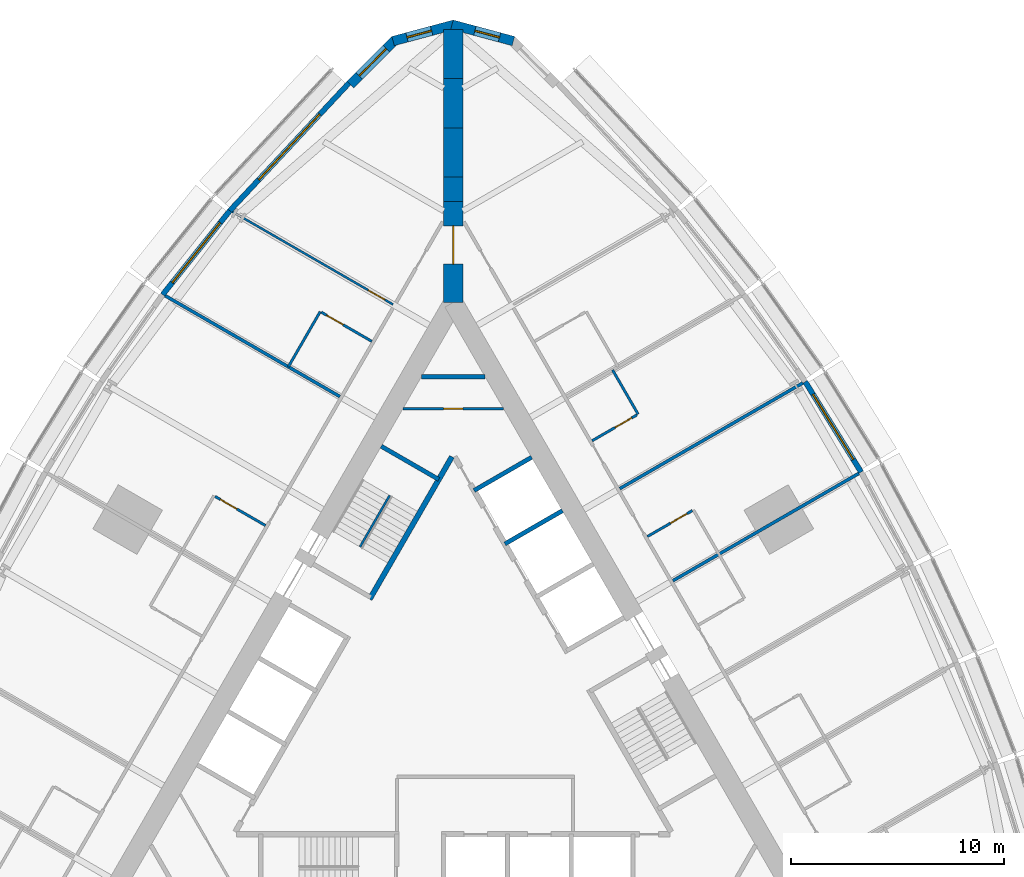
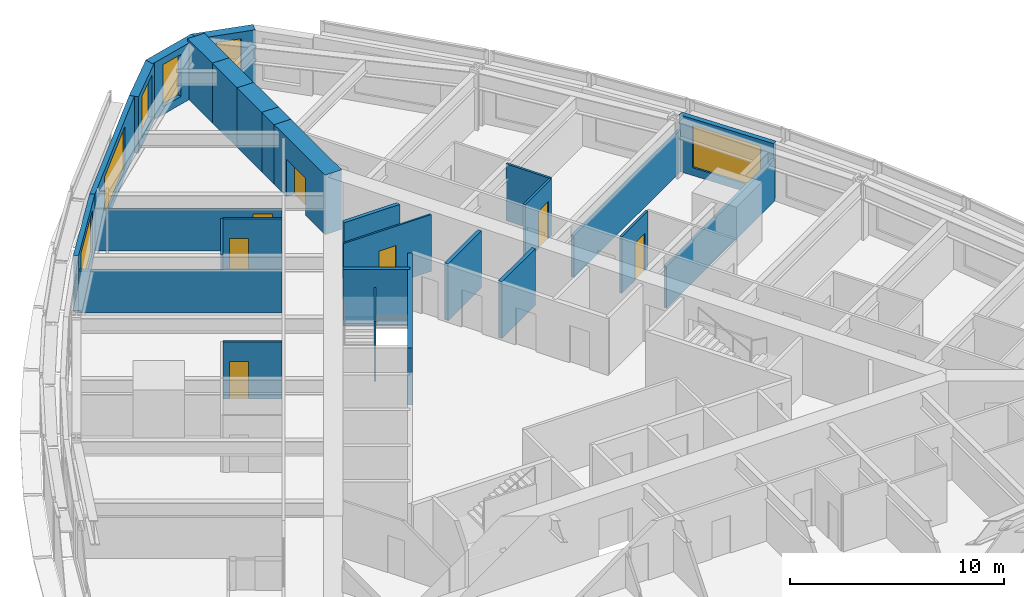
# One storey, part 12 of 14: 28 walls, 7 doors, 6 windows, 13 openings.
"""IFC4 building model written with IfcOpenShell, lengths in metres."""

from ifc_helpers import new_model, si_unit, direction, frame, frame_2d, origin, place, context, subcontext, project, spatial, polyline, rectangle, outline, extrude, material, layer, layer_set, type_object, element, fill, save


model = new_model("IFC4")

# Units and contexts
model_context = context("Model", 3, precision=1e-05, world=origin(), true_north=direction((0.0, 1.0)))
body_context = subcontext(model_context, "Body", "Model", "MODEL_VIEW")
ifc_project = project(units=[si_unit("LENGTHUNIT", "METRE"), si_unit("AREAUNIT", "SQUARE_METRE"), si_unit("VOLUMEUNIT", "CUBIC_METRE"), si_unit("PLANEANGLEUNIT", "RADIAN"), si_unit("MASSUNIT", "GRAM", prefix="KILO")], contexts=[model_context])

# Site, building, storey
site_placement = place(None, origin())
site = spatial("IfcSite", under=ifc_project, at=site_placement, CompositionType="ELEMENT")
building_placement = place(site_placement, origin())
building = spatial("IfcBuilding", under=site, at=building_placement, Name="Trikona Tower", CompositionType="ELEMENT")
storey_placement = place(building_placement, frame((0.0, 0.0, 31.89990234375)))
storey = spatial("IfcBuildingStorey", under=building, at=storey_placement, Name="L06", CompositionType="ELEMENT", Elevation=31.89990234375)

# Wall, opening, door
ifc_material_1 = material(Name="Metal stud and cement board", Category="gypsum")
ifc_layer_1 = layer(ifc_material_1, 0.1201171875)
ifc_layer_set_1 = layer_set([ifc_layer_1], Name="Bathroom wall 120")
wall_type_1 = type_object("IfcWallType", Name="Bathroom wall 120", PredefinedType="PLUMBINGWALL", material=ifc_layer_set_1)
wall_1_placement = place(storey_placement, frame((9.12841796875, 8.04150390625, 0.0), z_axis=(0.0, 0.0, 1.0), x_axis=(0.866005645448, 0.500034220881, 0.0)))
wall_1 = element("IfcWall", 1, at=wall_1_placement, inside=storey, type_object=wall_type_1, Name="Bathroom wall 0611", PredefinedType="PLUMBINGWALL", context=body_context, shape_type="SweptSolid", body=[
    extrude(rectangle(XDim=2.440185546875, YDim=0.1201171875, at=frame_2d((1.22021484375, 0.0))), origin(), (0.0, 0.0, 1.0), 3.235107421875),
])
opening_1_placement = place(wall_1_placement, frame((1.25, 0.0, 0.0)))
opening_1 = element("IfcOpeningElement", 2, at=opening_1_placement, cuts=wall_1, Name="Opening D2", PredefinedType="OPENING", context=body_context, shape_type="SweptSolid", body=[
    extrude(rectangle(XDim=0.89990234375, YDim=2.1298828125, at=frame_2d((0.449951171875, 1.06494140625))), frame((0.0, 0.070068359375, 0.0), z_axis=(0.0, -1.0, 0.0), x_axis=(1.0, 0.0, 0.0)), (0.0, 0.0, 1.0), 0.14013671875),
])
ifc_material_2 = material(Name="Steel door frame with solid-core timber leaf", Category="steel")
door_type_1 = type_object("IfcDoorType", Name="Bathroom door 900x2130", OperationType="SLIDING_TO_LEFT", PredefinedType="DOOR", material=ifc_material_2)
door_1_placement = place(opening_1_placement, origin())
door_1 = element("IfcDoor", 3, at=door_1_placement, inside=storey, type_object=door_type_1, Name="Bathroom door 0611", OperationType="SLIDING_TO_LEFT", OverallHeight=2.1298828125, OverallWidth=0.89990234375, PredefinedType="DOOR", context=body_context, shape_type="SweptSolid", body=[
    extrude(rectangle(XDim=0.89990234375, YDim=2.1298828125, at=frame_2d((0.449951171875, 1.06494140625))), frame((0.0, 0.02490234375, 0.0), z_axis=(0.0, -1.0, 0.0), x_axis=(1.0, 0.0, 0.0)), (0.0, 0.0, 1.0), 0.050048828125),
])
fill(opening_1, door_1)

# Wall
wall_2_placement = place(storey_placement, frame((8.693603515625, 13.794921875, 0.0), z_axis=(0.0, 0.0, 1.0), x_axis=(-0.500077600433, 0.865980596518, 0.0)))
element("IfcWall", 4, at=wall_2_placement, inside=storey, type_object=wall_type_1, Name="Bathroom wall 0612", PredefinedType="PLUMBINGWALL", context=body_context, shape_type="SweptSolid", body=[
    extrude(rectangle(XDim=2.39990234375, YDim=0.1201171875, at=frame_2d((1.199951171875, 0.0))), origin(), (0.0, 0.0, 1.0), 3.235107421875),
])

# Wall, opening, door
wall_3_placement = place(storey_placement, frame((6.528564453125, 12.544921875, 0.0), z_axis=(0.0, 0.0, 1.0), x_axis=(0.866023955769, 0.500002508028, 0.0)))
wall_3 = element("IfcWall", 5, at=wall_3_placement, inside=storey, type_object=wall_type_1, Name="Bathroom wall 0612", PredefinedType="PLUMBINGWALL", context=body_context, shape_type="SweptSolid", body=[
    extrude(rectangle(XDim=2.43994140625, YDim=0.1201171875, at=frame_2d((1.219970703125, 0.0))), origin(), (0.0, 0.0, 1.0), 3.235107421875),
])
opening_2_placement = place(wall_3_placement, frame((1.25, 0.0, 0.0)))
opening_2 = element("IfcOpeningElement", 6, at=opening_2_placement, cuts=wall_3, Name="Opening D2", PredefinedType="OPENING", context=body_context, shape_type="SweptSolid", body=[
    extrude(rectangle(XDim=0.89990234375, YDim=2.1298828125, at=frame_2d((0.449951171875, 1.06494140625))), frame((0.0, 0.070068359375, 0.0), z_axis=(0.0, -1.0, 0.0), x_axis=(1.0, 0.0, 0.0)), (0.0, 0.0, 1.0), 0.14013671875),
])
door_2_placement = place(opening_2_placement, origin())
door_2 = element("IfcDoor", 7, at=door_2_placement, inside=storey, type_object=door_type_1, Name="Bathroom door 0612", OperationType="SLIDING_TO_LEFT", OverallHeight=2.1298828125, OverallWidth=0.89990234375, PredefinedType="DOOR", context=body_context, shape_type="SweptSolid", body=[
    extrude(rectangle(XDim=0.89990234375, YDim=2.1298828125, at=frame_2d((0.449951171875, 1.06494140625))), frame((0.0, 0.02490234375, 0.0), z_axis=(0.0, -1.0, 0.0), x_axis=(1.0, 0.0, 0.0)), (0.0, 0.0, 1.0), 0.050048828125),
])
fill(opening_2, door_2)

# Wall
wall_4_placement = place(storey_placement, frame((-6.25341796875, 18.62158203125, 0.0), z_axis=(0.0, 0.0, 1.0), x_axis=(-0.499990139034, -0.866031096941, 0.0)))
element("IfcWall", 8, at=wall_4_placement, inside=storey, type_object=wall_type_1, Name="Bathroom wall 0614.1", PredefinedType="PLUMBINGWALL", context=body_context, shape_type="SweptSolid", body=[
    extrude(rectangle(XDim=3.0, YDim=0.1201171875, at=frame_2d((1.5, 0.0))), origin(), (0.0, 0.0, 1.0), 3.235107421875),
])

# Wall, opening, door
wall_5_placement = place(storey_placement, frame((-3.82861328125, 17.221435546875, 0.0), z_axis=(0.0, 0.0, 1.0), x_axis=(-0.865997131366, 0.500048966069, 0.0)))
wall_5 = element("IfcWall", 9, at=wall_5_placement, inside=storey, type_object=wall_type_1, Name="Bathroom wall 0614.1", PredefinedType="PLUMBINGWALL", context=body_context, shape_type="SweptSolid", body=[
    extrude(rectangle(XDim=2.739990234375, YDim=0.1201171875, at=frame_2d((1.3701171875, 0.0))), origin(), (0.0, 0.0, 1.0), 3.235107421875),
])
opening_3_placement = place(wall_5_placement, frame((1.550048828125, 0.0, 0.0)))
opening_3 = element("IfcOpeningElement", 10, at=opening_3_placement, cuts=wall_5, Name="Opening D2", PredefinedType="OPENING", context=body_context, shape_type="SweptSolid", body=[
    extrude(rectangle(XDim=0.89990234375, YDim=2.1298828125, at=frame_2d((0.449951171875, 1.06494140625))), frame((0.0, 0.070068359375, 0.0), z_axis=(0.0, -1.0, 0.0), x_axis=(1.0, 0.0, 0.0)), (0.0, 0.0, 1.0), 0.14013671875),
])
door_3_placement = place(opening_3_placement, origin())
door_3 = element("IfcDoor", 11, at=door_3_placement, inside=storey, type_object=door_type_1, Name="Bathroom door 0614.1", OperationType="SLIDING_TO_LEFT", OverallHeight=2.1298828125, OverallWidth=0.89990234375, PredefinedType="DOOR", context=body_context, shape_type="SweptSolid", body=[
    extrude(rectangle(XDim=0.89990234375, YDim=2.1298828125, at=frame_2d((0.449951171875, 1.06494140625))), frame((0.0, 0.02490234375, 0.0), z_axis=(0.0, -1.0, 0.0), x_axis=(1.0, 0.0, 0.0)), (0.0, 0.0, 1.0), 0.050048828125),
])
fill(opening_3, door_3)

wall_6_placement = place(storey_placement, frame((-8.82861328125, 8.561279296875, 0.0), z_axis=(0.0, 0.0, 1.0), x_axis=(-0.866035715982, 0.499982138324, 0.0)))
wall_6 = element("IfcWall", 12, at=wall_6_placement, inside=storey, type_object=wall_type_1, Name="Bathroom wall 0615", PredefinedType="PLUMBINGWALL", context=body_context, shape_type="SweptSolid", body=[
    extrude(rectangle(XDim=2.73974609375, YDim=0.1201171875, at=frame_2d((1.369873046875, 0.0))), origin(), (0.0, 0.0, 1.0), 3.235107421875),
])
opening_4_placement = place(wall_6_placement, frame((1.550048828125, 0.0, 0.0)))
opening_4 = element("IfcOpeningElement", 13, at=opening_4_placement, cuts=wall_6, Name="Opening D2", PredefinedType="OPENING", context=body_context, shape_type="SweptSolid", body=[
    extrude(rectangle(XDim=0.89990234375, YDim=2.1298828125, at=frame_2d((0.449951171875, 1.06494140625))), frame((0.0, 0.070068359375, 0.0), z_axis=(0.0, -1.0, 0.0), x_axis=(1.0, 0.0, 0.0)), (0.0, 0.0, 1.0), 0.14013671875),
])
door_4_placement = place(opening_4_placement, origin())
door_4 = element("IfcDoor", 14, at=door_4_placement, inside=storey, type_object=door_type_1, Name="Bathroom door 0615", OperationType="SLIDING_TO_LEFT", OverallHeight=2.1298828125, OverallWidth=0.89990234375, PredefinedType="DOOR", context=body_context, shape_type="SweptSolid", body=[
    extrude(rectangle(XDim=0.89990234375, YDim=2.1298828125, at=frame_2d((0.449951171875, 1.06494140625))), frame((0.0, 0.02490234375, 0.0), z_axis=(0.0, -1.0, 0.0), x_axis=(1.0, 0.0, 0.0)), (0.0, 0.0, 1.0), 0.050048828125),
])
fill(opening_4, door_4)

# Wall, opening, window
ifc_material_3 = material(Name="Brick-faced precast concrete", Category="masonry")
ifc_layer_2 = layer(ifc_material_3, 0.449951171875)
ifc_layer_set_2 = layer_set([ifc_layer_2], Name="Brick-faced corner wall 450")
wall_type_2 = type_object("IfcWallType", Name="Brick-faced corner wall 450", PredefinedType="SOLIDWALL", material=ifc_layer_set_2)
wall_7_placement = place(storey_placement, frame((2.82861328125, 31.3408203125, 0.0), z_axis=(0.0, 0.0, 1.0), x_axis=(-0.965930548995, 0.258801419081, 0.0)))
wall_7 = element("IfcWall", 15, at=wall_7_placement, inside=storey, type_object=wall_type_2, Name="External wall L06-21", PredefinedType="SOLIDWALL", context=body_context, shape_type="SweptSolid", body=[
    extrude(outline(polyline([(2.988525390625, 0.22509765625), (2.92919921875, 0.22509765625), (2.4375, 0.09326171875), (2.40234375, 0.22509765625), (0.0, 0.22509765625), (0.0, -0.22509765625), (2.988525390625, -0.22509765625), (2.988525390625, 0.22509765625)])), origin(), (0.0, 0.0, 1.0), 3.235107421875),
])
opening_5_placement = place(wall_7_placement, frame((0.676025390625, 0.0, 0.449951171875)))
opening_5 = element("IfcOpeningElement", 16, at=opening_5_placement, cuts=wall_7, Name="Opening W1224", PredefinedType="OPENING", context=body_context, shape_type="SweptSolid", body=[
    extrude(rectangle(XDim=1.199951171875, YDim=2.39990234375, at=frame_2d((0.60009765625, 1.199951171875))), frame((0.0, 0.23486328125, 0.0), z_axis=(0.0, -1.0, 0.0), x_axis=(1.0, 0.0, 0.0)), (0.0, 0.0, 1.0), 0.469970703125),
])
ifc_material_4 = material(Name="Aluminium-framed double glazing", Category="aluminium")
window_type_1 = type_object("IfcWindowType", Name="Window 1200x2400", PartitioningType="SINGLE_PANEL", PredefinedType="WINDOW", material=ifc_material_4)
window_1_placement = place(opening_5_placement, origin())
window_1 = element("IfcWindow", 17, at=window_1_placement, inside=storey, type_object=window_type_1, Name="Window 0613", OverallHeight=2.39990234375, OverallWidth=1.199951171875, PartitioningType="SINGLE_PANEL", PredefinedType="WINDOW", context=body_context, shape_type="SweptSolid", body=[
    extrude(rectangle(XDim=1.199951171875, YDim=2.39990234375, at=frame_2d((0.60009765625, 1.199951171875))), frame((0.0, 0.030029296875, 0.0), z_axis=(0.0, -1.0, 0.0), x_axis=(1.0, 0.0, 0.0)), (0.0, 0.0, 1.0), 0.06005859375),
])
fill(opening_5, window_1)

wall_8_placement = place(storey_placement, frame((0.05810546875, 32.1142578125, 0.0), z_axis=(0.0, 0.0, 1.0), x_axis=(-0.965930548995, -0.258801419081, 0.0)))
wall_8 = element("IfcWall", 18, at=wall_8_placement, inside=storey, type_object=wall_type_2, Name="External wall L06-22", PredefinedType="SOLIDWALL", context=body_context, shape_type="SweptSolid", body=[
    extrude(outline(polyline([(2.988525390625, 0.22509765625), (0.58642578125, 0.22509765625), (0.551025390625, 0.09326171875), (0.059326171875, 0.22509765625), (0.0, 0.22509765625), (0.0, -0.22509765625), (2.988525390625, -0.22509765625), (2.988525390625, 0.22509765625)])), origin(), (0.0, 0.0, 1.0), 3.235107421875),
])
opening_6_placement = place(wall_8_placement, frame((1.112548828125, 0.0, 0.449951171875)))
opening_6 = element("IfcOpeningElement", 19, at=opening_6_placement, cuts=wall_8, Name="Opening W1224", PredefinedType="OPENING", context=body_context, shape_type="SweptSolid", body=[
    extrude(rectangle(XDim=1.199951171875, YDim=2.39990234375, at=frame_2d((0.60009765625, 1.199951171875))), frame((0.0, 0.23486328125, 0.0), z_axis=(0.0, -1.0, 0.0), x_axis=(1.0, 0.0, 0.0)), (0.0, 0.0, 1.0), 0.469970703125),
])
window_2_placement = place(opening_6_placement, origin())
window_2 = element("IfcWindow", 20, at=window_2_placement, inside=storey, type_object=window_type_1, Name="Window 0614", OverallHeight=2.39990234375, OverallWidth=1.199951171875, PartitioningType="SINGLE_PANEL", PredefinedType="WINDOW", context=body_context, shape_type="SweptSolid", body=[
    extrude(rectangle(XDim=1.199951171875, YDim=2.39990234375, at=frame_2d((0.60009765625, 1.199951171875))), frame((0.0, 0.030029296875, 0.0), z_axis=(0.0, -1.0, 0.0), x_axis=(1.0, 0.0, 0.0)), (0.0, 0.0, 1.0), 0.06005859375),
])
fill(opening_6, window_2)

wall_9_placement = place(storey_placement, frame((-2.727783203125, 31.39892578125, 0.0), z_axis=(0.0, 0.0, 1.0), x_axis=(-0.707106781187, -0.707106781187, 0.0)))
wall_9 = element("IfcWall", 21, at=wall_9_placement, inside=storey, type_object=wall_type_2, Name="External wall L06-23", PredefinedType="SOLIDWALL", context=body_context, shape_type="SweptSolid", body=[
    extrude(rectangle(XDim=2.98828125, YDim=0.449951171875, at=frame_2d((1.494140625, 0.0))), origin(), (0.0, 0.0, 1.0), 3.235107421875),
])
opening_7_placement = place(wall_9_placement, frame((0.59423828125, 0.0, 0.449951171875)))
opening_7 = element("IfcOpeningElement", 22, at=opening_7_placement, cuts=wall_9, Name="Opening W1824", PredefinedType="OPENING", context=body_context, shape_type="SweptSolid", body=[
    extrude(rectangle(XDim=1.800048828125, YDim=2.39990234375, at=frame_2d((0.89990234375, 1.199951171875))), frame((0.0, 0.23486328125, 0.0), z_axis=(0.0, -1.0, 0.0), x_axis=(1.0, 0.0, 0.0)), (0.0, 0.0, 1.0), 0.469970703125),
])
ifc_material_5 = material(Name="Aluminium-framed double glazing", Category="aluminium")
window_type_2 = type_object("IfcWindowType", Name="Window 1800x2400", PartitioningType="SINGLE_PANEL", PredefinedType="WINDOW", material=ifc_material_5)
window_3_placement = place(opening_7_placement, origin())
window_3 = element("IfcWindow", 23, at=window_3_placement, inside=storey, type_object=window_type_2, Name="Window 0614", OverallHeight=2.39990234375, OverallWidth=1.800048828125, PartitioningType="SINGLE_PANEL", PredefinedType="WINDOW", context=body_context, shape_type="SweptSolid", body=[
    extrude(rectangle(XDim=1.800048828125, YDim=2.39990234375, at=frame_2d((0.89990234375, 1.199951171875))), frame((0.0, 0.030029296875, 0.0), z_axis=(0.0, -1.0, 0.0), x_axis=(1.0, 0.0, 0.0)), (0.0, 0.0, 1.0), 0.06005859375),
])
fill(opening_7, window_3)

# Wall, opening, door
ifc_material_6 = material(Name="Concrete f'c 10000 psi", Category="concrete")
ifc_layer_3 = layer(ifc_material_6, 0.89990234375)
ifc_layer_set_3 = layer_set([ifc_layer_3], Name="Buttress wall 900")
wall_type_3 = type_object("IfcWallType", Name="Buttress wall 900", PredefinedType="SHEAR", material=ifc_layer_set_3)
wall_10_placement = place(storey_placement, frame((0.0, 19.052490234375, 0.0), z_axis=(0.0, 0.0, 1.0), x_axis=(0.0, 1.0, 0.0)))
wall_10 = element("IfcWall", 24, at=wall_10_placement, inside=storey, type_object=wall_type_3, Name="Buttress wall 2", PredefinedType="SHEAR", context=body_context, shape_type="SweptSolid", body=[
    extrude(rectangle(XDim=4.74609375, YDim=0.89990234375, at=frame_2d((2.373046875, 0.0))), origin(), (0.0, 0.0, 1.0), 3.400146484375),
])
opening_8_placement = place(wall_10_placement, frame((1.800048828125, 0.0, 0.0)))
opening_8 = element("IfcOpeningElement", 25, at=opening_8_placement, cuts=wall_10, Name="Opening D10", PredefinedType="OPENING", context=body_context, shape_type="SweptSolid", body=[
    extrude(rectangle(XDim=1.800048828125, YDim=2.1298828125, at=frame_2d((0.89990234375, 1.06494140625))), frame((0.0, 0.4599609375, 0.0), z_axis=(0.0, -1.0, 0.0), x_axis=(1.0, 0.0, 0.0)), (0.0, 0.0, 1.0), 0.919921875),
])
ifc_material_7 = material(Name="Hollow metal door and frame", Category="steel")
door_type_2 = type_object("IfcDoorType", Name="Cross-corridor door pair 1800x2130", OperationType="DOUBLE_DOOR_DOUBLE_SWING", PredefinedType="DOOR", material=ifc_material_7)
door_5_placement = place(opening_8_placement, origin())
door_5 = element("IfcDoor", 26, at=door_5_placement, inside=storey, type_object=door_type_2, Name="Cross-corridor door 2", OperationType="DOUBLE_DOOR_DOUBLE_SWING", OverallHeight=2.1298828125, OverallWidth=1.800048828125, PredefinedType="DOOR", context=body_context, shape_type="SweptSolid", body=[
    extrude(rectangle(XDim=1.800048828125, YDim=2.1298828125, at=frame_2d((0.89990234375, 1.06494140625))), frame((0.0, 0.02490234375, 0.0), z_axis=(0.0, -1.0, 0.0), x_axis=(1.0, 0.0, 0.0)), (0.0, 0.0, 1.0), 0.050048828125),
])
fill(opening_8, door_5)

# Walls
wall_11_placement = place(storey_placement, frame((0.0, 23.798583984375, 0.0), z_axis=(0.0, 0.0, 1.0), x_axis=(0.0, 1.0, 0.0)))
element("IfcWall", 27, at=wall_11_placement, inside=storey, type_object=wall_type_3, Name="Buttress wall 2 part 2", PredefinedType="SHEAR", context=body_context, shape_type="SweptSolid", body=[
    extrude(rectangle(XDim=1.15478515625, YDim=0.89990234375, at=frame_2d((0.577392578125, 0.0))), origin(), (0.0, 0.0, 1.0), 3.400146484375),
])
wall_12_placement = place(storey_placement, frame((0.0, 24.953369140625, 0.0), z_axis=(0.0, 0.0, 1.0), x_axis=(0.0, 1.0, 0.0)))
element("IfcWall", 28, at=wall_12_placement, inside=storey, type_object=wall_type_3, Name="Buttress wall 2 part 3", PredefinedType="SHEAR", context=body_context, shape_type="SweptSolid", body=[
    extrude(rectangle(XDim=2.309326171875, YDim=0.89990234375, at=frame_2d((1.15478515625, 0.0))), origin(), (0.0, 0.0, 1.0), 3.400146484375),
])
wall_13_placement = place(storey_placement, frame((0.0, 27.2626953125, 0.0), z_axis=(0.0, 0.0, 1.0), x_axis=(0.0, 1.0, 0.0)))
element("IfcWall", 29, at=wall_13_placement, inside=storey, type_object=wall_type_3, Name="Buttress wall 2 part 4", PredefinedType="SHEAR", context=body_context, shape_type="SweptSolid", body=[
    extrude(rectangle(XDim=2.3095703125, YDim=0.89990234375, at=frame_2d((1.15478515625, 0.0))), origin(), (0.0, 0.0, 1.0), 3.400146484375),
])
wall_14_placement = place(storey_placement, frame((0.0, 29.572265625, 0.0), z_axis=(0.0, 0.0, 1.0), x_axis=(0.0, 1.0, 0.0)))
element("IfcWall", 30, at=wall_14_placement, inside=storey, type_object=wall_type_3, Name="Buttress wall 2 part 5", PredefinedType="SHEAR", context=body_context, shape_type="SweptSolid", body=[
    extrude(rectangle(XDim=2.309326171875, YDim=0.89990234375, at=frame_2d((1.15478515625, 0.0))), origin(), (0.0, 0.0, 1.0), 3.400146484375),
])
ifc_material_8 = material(Name="Concrete f'c 8000 psi", Category="concrete")
ifc_layer_4 = layer(ifc_material_8, 0.25)
ifc_layer_set_4 = layer_set([ifc_layer_4], Name="Hub wall 250")
wall_type_4 = type_object("IfcWallType", Name="Hub wall 250", PredefinedType="SOLIDWALL", material=ifc_layer_set_4)
wall_15_placement = place(storey_placement, frame((-0.0625, 11.794189453125, 0.0), z_axis=(0.0, 0.0, 1.0), x_axis=(-0.500006680225, -0.86602154692, 0.0)))
element("IfcWall", 31, at=wall_15_placement, inside=storey, type_object=wall_type_4, Name="Lift lobby wall C1", PredefinedType="SOLIDWALL", context=body_context, shape_type="SweptSolid", body=[
    extrude(rectangle(XDim=7.73291015625, YDim=0.25, at=frame_2d((3.866455078125, 0.0))), origin(), (0.0, 0.0, 1.0), 3.235107421875),
])

# Wall, opening, window
ifc_material_9 = material(Name="Insulated precast concrete spandrel panel", Category="concrete")
ifc_layer_5 = layer(ifc_material_9, 0.25)
ifc_layer_set_5 = layer_set([ifc_layer_5], Name="Inner skin wall 250")
wall_type_5 = type_object("IfcWallType", Name="Inner skin wall 250", PredefinedType="STANDARD", material=ifc_layer_set_5)
wall_16_placement = place(storey_placement, frame((19.182373046875, 11.070556640625, 0.0), z_axis=(0.0, 0.0, 1.0), x_axis=(-0.526132807704, 0.850402415717, 0.0)))
wall_16 = element("IfcWall", 32, at=wall_16_placement, inside=storey, type_object=wall_type_5, Name="External wall L06-16", PredefinedType="STANDARD", context=body_context, shape_type="SweptSolid", body=[
    extrude(rectangle(XDim=5.002197265625, YDim=0.25, at=frame_2d((2.5009765625, 0.0))), origin(), (0.0, 0.0, 1.0), 3.235107421875),
])
opening_9_placement = place(wall_16_placement, frame((0.701171875, 0.0, 0.449951171875)))
opening_9 = element("IfcOpeningElement", 33, at=opening_9_placement, cuts=wall_16, Name="Opening W3624", PredefinedType="OPENING", context=body_context, shape_type="SweptSolid", body=[
    extrude(rectangle(XDim=3.60009765625, YDim=2.39990234375, at=frame_2d((1.800048828125, 1.199951171875))), frame((0.0, 0.135009765625, 0.0), z_axis=(0.0, -1.0, 0.0), x_axis=(1.0, 0.0, 0.0)), (0.0, 0.0, 1.0), 0.27001953125),
])
ifc_material_10 = material(Name="Aluminium-framed double glazing", Category="aluminium")
window_type_3 = type_object("IfcWindowType", Name="Window 3600x2400", PartitioningType="SINGLE_PANEL", PredefinedType="WINDOW", material=ifc_material_10)
window_4_placement = place(opening_9_placement, origin())
window_4 = element("IfcWindow", 34, at=window_4_placement, inside=storey, type_object=window_type_3, Name="Window 0611", OverallHeight=2.39990234375, OverallWidth=3.60009765625, PartitioningType="SINGLE_PANEL", PredefinedType="WINDOW", context=body_context, shape_type="SweptSolid", body=[
    extrude(rectangle(XDim=3.60009765625, YDim=2.39990234375, at=frame_2d((1.800048828125, 1.199951171875))), frame((0.0, 0.030029296875, 0.0), z_axis=(0.0, -1.0, 0.0), x_axis=(1.0, 0.0, 0.0)), (0.0, 0.0, 1.0), 0.06005859375),
])
fill(opening_9, window_4)

wall_17_placement = place(storey_placement, frame((-4.90869140625, 29.359619140625, 0.0), z_axis=(0.0, 0.0, 1.0), x_axis=(-0.682289646561, -0.731081964075, 0.0)))
wall_17 = element("IfcWall", 35, at=wall_17_placement, inside=storey, type_object=wall_type_5, Name="External wall L06-24", PredefinedType="STANDARD", context=body_context, shape_type="SweptSolid", body=[
    extrude(rectangle(XDim=8.2109375, YDim=0.25, at=frame_2d((4.10546875, 0.0))), origin(), (0.0, 0.0, 1.0), 3.235107421875),
])
opening_10_placement = place(wall_17_placement, frame((2.005615234375, 0.0, 0.449951171875)))
opening_10 = element("IfcOpeningElement", 36, at=opening_10_placement, cuts=wall_17, Name="Opening W4224", PredefinedType="OPENING", context=body_context, shape_type="SweptSolid", body=[
    extrude(rectangle(XDim=4.199951171875, YDim=2.39990234375, at=frame_2d((2.10009765625, 1.199951171875))), frame((0.0, 0.135009765625, 0.0), z_axis=(0.0, -1.0, 0.0), x_axis=(1.0, 0.0, 0.0)), (0.0, 0.0, 1.0), 0.27001953125),
])
ifc_material_11 = material(Name="Aluminium-framed double glazing", Category="aluminium")
window_type_4 = type_object("IfcWindowType", Name="Window 4200x2400", PartitioningType="SINGLE_PANEL", PredefinedType="WINDOW", material=ifc_material_11)
window_5_placement = place(opening_10_placement, origin())
window_5 = element("IfcWindow", 37, at=window_5_placement, inside=storey, type_object=window_type_4, Name="Window 0614", OverallHeight=2.39990234375, OverallWidth=4.199951171875, PartitioningType="SINGLE_PANEL", PredefinedType="WINDOW", context=body_context, shape_type="SweptSolid", body=[
    extrude(rectangle(XDim=4.199951171875, YDim=2.39990234375, at=frame_2d((2.10009765625, 1.199951171875))), frame((0.0, 0.030029296875, 0.0), z_axis=(0.0, -1.0, 0.0), x_axis=(1.0, 0.0, 0.0)), (0.0, 0.0, 1.0), 0.06005859375),
])
fill(opening_10, window_5)

wall_18_placement = place(storey_placement, frame((-10.5048828125, 23.36376953125, 0.0), z_axis=(0.0, 0.0, 1.0), x_axis=(-0.624594965756, -0.780948864364, 0.0)))
wall_18 = element("IfcWall", 38, at=wall_18_placement, inside=storey, type_object=wall_type_5, Name="External wall L06-25", PredefinedType="STANDARD", context=body_context, shape_type="SweptSolid", body=[
    extrude(rectangle(XDim=5.0576171875, YDim=0.25, at=frame_2d((2.52880859375, 0.0))), origin(), (0.0, 0.0, 1.0), 3.235107421875),
])
opening_11_placement = place(wall_18_placement, frame((0.728759765625, 0.0, 0.449951171875)))
opening_11 = element("IfcOpeningElement", 39, at=opening_11_placement, cuts=wall_18, Name="Opening W3624", PredefinedType="OPENING", context=body_context, shape_type="SweptSolid", body=[
    extrude(rectangle(XDim=3.60009765625, YDim=2.39990234375, at=frame_2d((1.800048828125, 1.199951171875))), frame((0.0, 0.135009765625, 0.0), z_axis=(0.0, -1.0, 0.0), x_axis=(1.0, 0.0, 0.0)), (0.0, 0.0, 1.0), 0.27001953125),
])
window_6_placement = place(opening_11_placement, origin())
window_6 = element("IfcWindow", 40, at=window_6_placement, inside=storey, type_object=window_type_3, Name="Window 0614.1", OverallHeight=2.39990234375, OverallWidth=3.60009765625, PartitioningType="SINGLE_PANEL", PredefinedType="WINDOW", context=body_context, shape_type="SweptSolid", body=[
    extrude(rectangle(XDim=3.60009765625, YDim=2.39990234375, at=frame_2d((1.800048828125, 1.199951171875))), frame((0.0, 0.030029296875, 0.0), z_axis=(0.0, -1.0, 0.0), x_axis=(1.0, 0.0, 0.0)), (0.0, 0.0, 1.0), 0.06005859375),
])
fill(opening_11, window_6)

# Walls
ifc_material_12 = material(Name="Metal stud and gypsum board, 1-hour acoustic", Category="gypsum")
ifc_layer_6 = layer(ifc_material_12, 0.14990234375)
ifc_layer_set_6 = layer_set([ifc_layer_6], Name="Party wall 150")
wall_type_6 = type_object("IfcWallType", Name="Party wall 150", PredefinedType="PARTITIONING", material=ifc_layer_set_6)
wall_19_placement = place(storey_placement, frame((10.32861328125, 5.963134765625, 0.0), z_axis=(0.0, 0.0, 1.0), x_axis=(0.866021688545, 0.500006434927, 0.0)))
element("IfcWall", 41, at=wall_19_placement, inside=storey, type_object=wall_type_6, Name="Partition L06 F2 u0", PredefinedType="PARTITIONING", context=body_context, shape_type="SweptSolid", body=[
    extrude(rectangle(XDim=10.095947265625, YDim=0.14990234375, at=frame_2d((5.0478515625, 0.0))), origin(), (0.0, 0.0, 1.0), 2.389404296875),
])
wall_20_placement = place(storey_placement, frame((7.82861328125, 10.293212890625, 0.0), z_axis=(0.0, 0.0, 1.0), x_axis=(0.866016302457, 0.50001576363, 0.0)))
element("IfcWall", 42, at=wall_20_placement, inside=storey, type_object=wall_type_6, Name="Partition L06 F2 u5", PredefinedType="PARTITIONING", context=body_context, shape_type="SweptSolid", body=[
    extrude(rectangle(XDim=9.943115234375, YDim=0.14990234375, at=frame_2d((4.9716796875, 0.0))), origin(), (0.0, 0.0, 1.0), 2.389404296875),
])
wall_21_placement = place(storey_placement, frame((-5.32861328125, 14.623291015625, 0.0), z_axis=(0.0, 0.0, 1.0), x_axis=(-0.866018409083, 0.500012114982, 0.0)))
element("IfcWall", 43, at=wall_21_placement, inside=storey, type_object=wall_type_6, Name="Partition L06 F3 u-10", PredefinedType="PARTITIONING", context=body_context, shape_type="SweptSolid", body=[
    extrude(rectangle(XDim=9.484619140625, YDim=0.14990234375, at=frame_2d((4.7421875, 0.0))), origin(), (0.0, 0.0, 1.0), 2.389404296875),
])
ifc_material_13 = material(Name="Concrete f'c 8000 psi", Category="concrete")
ifc_layer_7 = layer(ifc_material_13, 0.199951171875)
ifc_layer_set_7 = layer_set([ifc_layer_7], Name="Shaft wall 200")
wall_type_7 = type_object("IfcWallType", Name="Shaft wall 200", PredefinedType="SOLIDWALL", material=ifc_layer_set_7)
for number, where, z_axis, x_axis, name in (
    (44, (2.428955078125, 7.695556640625, 0.0), (0.0, 0.0, 1.0), (0.866022959057, 0.500004234368, 0.0), "Shaft wall B5"),
    (45, (0.97900390625, 10.20703125, 0.0), (0.0, 0.0, 1.0), (0.866022959057, 0.500004234368, 0.0), "Shaft wall B6"),
):
    element("IfcWall", number, at=place(storey_placement, frame(where, z_axis=z_axis, x_axis=x_axis)), inside=storey, type_object=wall_type_7, Name=name, PredefinedType="SOLIDWALL", context=body_context, shape_type="SweptSolid", body=[
        extrude(rectangle(XDim=3.125, YDim=0.199951171875, at=frame_2d((1.5625, 0.0))), origin(), (0.0, 0.0, 1.0), 3.235107421875),
    ])
wall_22_placement = place(storey_placement, frame((-1.501220703125, 15.552490234375, 0.0), z_axis=(0.0, 0.0, 1.0), x_axis=(1.0, 0.0, 0.0)))
element("IfcWall", 46, at=wall_22_placement, inside=storey, type_object=wall_type_7, Name="Riser wall L06-RS2", PredefinedType="SOLIDWALL", context=body_context, shape_type="SweptSolid", body=[
    extrude(rectangle(XDim=3.00244140625, YDim=0.199951171875, at=frame_2d((1.501220703125, 0.0))), origin(), (0.0, 0.0, 1.0), 3.235107421875),
])
ifc_material_14 = material(Name="Concrete f'c 8000 psi", Category="concrete")
ifc_layer_8 = layer(ifc_material_14, 0.199951171875)
ifc_layer_set_8 = layer_set([ifc_layer_8], Name="Shaft wall 200 load-bearing")
wall_type_8 = type_object("IfcWallType", Name="Shaft wall 200 load-bearing", PredefinedType="SOLIDWALL", material=ifc_layer_set_8)
wall_23_placement = place(storey_placement, frame((-0.678955078125, 10.7265625, 0.0), z_axis=(0.0, 0.0, 1.0), x_axis=(-0.866022959057, 0.500004234368, 0.0)))
element("IfcWall", 47, at=wall_23_placement, inside=storey, type_object=wall_type_8, Name="Shaft wall C1", PredefinedType="SOLIDWALL", context=body_context, shape_type="SweptSolid", body=[
    extrude(rectangle(XDim=3.125, YDim=0.199951171875, at=frame_2d((1.5625, 0.0))), origin(), (0.0, 0.0, 1.0), 3.235107421875),
])
ifc_material_15 = material(Name="Concrete f'c 5000 psi", Category="concrete")
ifc_layer_9 = layer(ifc_material_15, 0.10009765625)
ifc_layer_set_9 = layer_set([ifc_layer_9], Name="Stair spine wall 100")
wall_type_9 = type_object("IfcWallType", Name="Stair spine wall 100", PredefinedType="SOLIDWALL", material=ifc_layer_set_9)
wall_24_placement = place(storey_placement, frame((-2.98779296875, 9.9775390625, 0.0), z_axis=(0.0, 0.0, 1.0), x_axis=(-0.499992232847, -0.866029888106, 0.0)))
element("IfcWall", 48, at=wall_24_placement, inside=storey, type_object=wall_type_9, Name="Stair C spine wall L06", PredefinedType="SOLIDWALL", context=body_context, shape_type="SweptSolid", body=[
    extrude(rectangle(XDim=2.7939453125, YDim=0.10009765625, at=frame_2d((1.39697265625, 0.0))), origin(), (0.0, 0.0, 1.0), 3.400146484375),
])

# Wall, opening, door
ifc_material_16 = material(Name="Metal stud and gypsum board, acoustic", Category="gypsum")
ifc_layer_10 = layer(ifc_material_16, 0.10009765625)
ifc_layer_set_10 = layer_set([ifc_layer_10], Name="Suite partition 100")
wall_type_10 = type_object("IfcWallType", Name="Suite partition 100", PredefinedType="PARTITIONING", material=ifc_layer_set_10)
wall_25_placement = place(storey_placement, frame((-2.82861328125, 18.95361328125, 0.0), z_axis=(0.0, 0.0, 1.0), x_axis=(-0.866020536561, 0.500008430184, 0.0)))
wall_25 = element("IfcWall", 49, at=wall_25_placement, inside=storey, type_object=wall_type_10, Name="Suite partition L06 F3 u-15", PredefinedType="PARTITIONING", context=body_context, shape_type="SweptSolid", body=[
    extrude(rectangle(XDim=8.719970703125, YDim=0.10009765625, at=frame_2d((4.35986328125, 0.0))), origin(), (0.0, 0.0, 1.0), 2.389404296875),
])
opening_12_placement = place(wall_25_placement, frame((0.449951171875, 0.0, 0.0)))
opening_12 = element("IfcOpeningElement", 50, at=opening_12_placement, cuts=wall_25, Name="Opening D13", PredefinedType="OPENING", context=body_context, shape_type="SweptSolid", body=[
    extrude(rectangle(XDim=0.89990234375, YDim=2.1298828125, at=frame_2d((0.449951171875, 1.06494140625))), frame((0.0, 0.06005859375, 0.0), z_axis=(0.0, -1.0, 0.0), x_axis=(1.0, 0.0, 0.0)), (0.0, 0.0, 1.0), 0.1201171875),
])
ifc_material_17 = material(Name="Steel door frame with solid-core timber leaf", Category="steel")
door_type_3 = type_object("IfcDoorType", Name="Suite door 900x2130", OperationType="SINGLE_SWING_LEFT", PredefinedType="DOOR", material=ifc_material_17)
door_6_placement = place(opening_12_placement, origin())
door_6 = element("IfcDoor", 51, at=door_6_placement, inside=storey, type_object=door_type_3, Name="Suite door 0614", OperationType="SINGLE_SWING_LEFT", OverallHeight=2.1298828125, OverallWidth=0.89990234375, PredefinedType="DOOR", context=body_context, shape_type="SweptSolid", body=[
    extrude(rectangle(XDim=0.89990234375, YDim=2.1298828125, at=frame_2d((0.449951171875, 1.06494140625))), frame((0.0, 0.02490234375, 0.0), z_axis=(0.0, -1.0, 0.0), x_axis=(1.0, 0.0, 0.0)), (0.0, 0.0, 1.0), 0.050048828125),
])
fill(opening_12, door_6)

wall_26_placement = place(storey_placement, frame((-2.3671875, 14.052490234375, 0.0), z_axis=(0.0, 0.0, 1.0), x_axis=(1.0, 0.0, 0.0)))
wall_26 = element("IfcWall", 52, at=wall_26_placement, inside=storey, type_object=wall_type_10, Name="Store partition L06-RS2", PredefinedType="PARTITIONING", context=body_context, shape_type="SweptSolid", body=[
    extrude(rectangle(XDim=4.734375, YDim=0.10009765625, at=frame_2d((2.3671875, 0.0))), origin(), (0.0, 0.0, 1.0), 3.235107421875),
])
opening_13_placement = place(wall_26_placement, frame((1.9169921875, 0.0, 0.0)))
opening_13 = element("IfcOpeningElement", 53, at=opening_13_placement, cuts=wall_26, Name="Opening D15", PredefinedType="OPENING", context=body_context, shape_type="SweptSolid", body=[
    extrude(rectangle(XDim=0.89990234375, YDim=2.1298828125, at=frame_2d((0.449951171875, 1.06494140625))), frame((0.0, 0.06005859375, 0.0), z_axis=(0.0, -1.0, 0.0), x_axis=(1.0, 0.0, 0.0)), (0.0, 0.0, 1.0), 0.1201171875),
])
ifc_material_18 = material(Name="Steel door frame with solid-core timber leaf", Category="steel")
door_type_4 = type_object("IfcDoorType", Name="Store door 900x2130", OperationType="SINGLE_SWING_LEFT", PredefinedType="DOOR", material=ifc_material_18)
door_7_placement = place(opening_13_placement, origin())
door_7 = element("IfcDoor", 54, at=door_7_placement, inside=storey, type_object=door_type_4, Name="Door Storage STO", OperationType="SINGLE_SWING_LEFT", OverallHeight=2.1298828125, OverallWidth=0.89990234375, PredefinedType="DOOR", context=body_context, shape_type="SweptSolid", body=[
    extrude(rectangle(XDim=0.89990234375, YDim=2.1298828125, at=frame_2d((0.449951171875, 1.06494140625))), frame((0.0, 0.02490234375, 0.0), z_axis=(0.0, -1.0, 0.0), x_axis=(1.0, 0.0, 0.0)), (0.0, 0.0, 1.0), 0.050048828125),
])
fill(opening_13, door_7)

save(model, "model.ifc")
